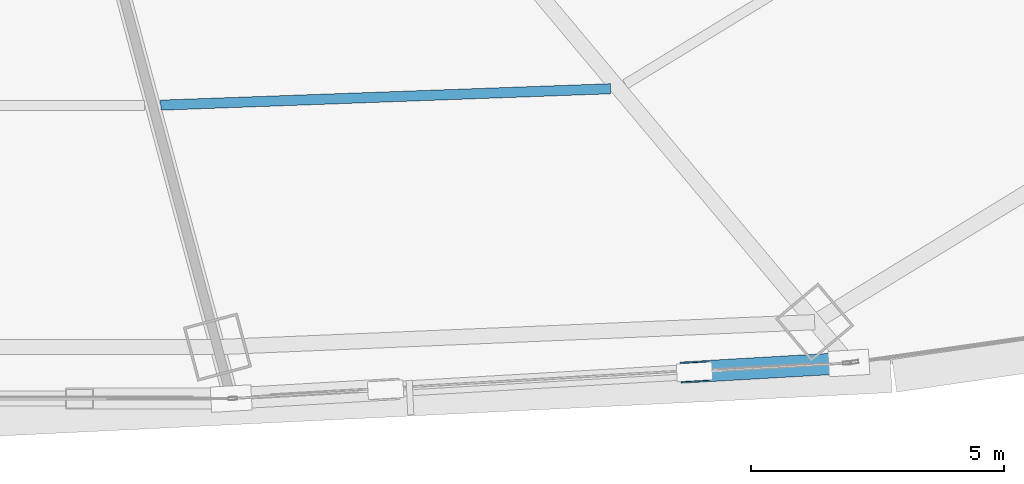
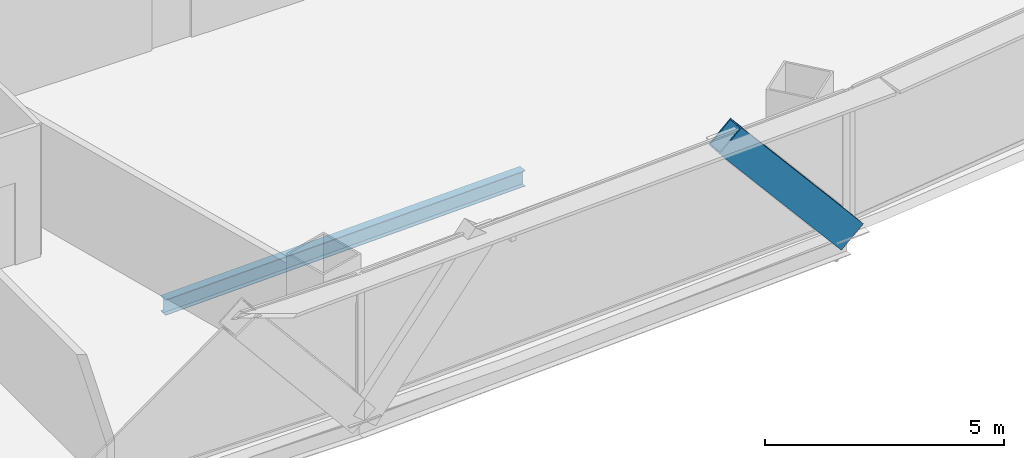
# One storey, part 11 of 41: 1 beam, 1 member.
"""IFC4 building model written with IfcOpenShell, lengths in metres."""

from ifc_helpers import new_model, si_unit, direction, frame, origin, origin_2d, place, context, subcontext, project, spatial, hollow_rectangle, i_section, extrude, source, transform, mapped, material, material_profile, profile_set, type_object, element, save


model = new_model("IFC4")

# Units and contexts
model_context = context("Model", 3, precision=1e-05, world=origin(), true_north=direction((0.0, 1.0)))
body_context = subcontext(model_context, "Body", "Model", "MODEL_VIEW")
ifc_project = project(units=[si_unit("LENGTHUNIT", "METRE"), si_unit("AREAUNIT", "SQUARE_METRE"), si_unit("VOLUMEUNIT", "CUBIC_METRE"), si_unit("PLANEANGLEUNIT", "RADIAN"), si_unit("MASSUNIT", "GRAM", prefix="KILO"), si_unit("THERMODYNAMICTEMPERATUREUNIT", "KELVIN"), si_unit("POWERUNIT", "WATT")], contexts=[model_context])

# Site, building, storey
site_placement = place(None, origin())
site = spatial("IfcSite", under=ifc_project, at=site_placement, CompositionType="ELEMENT")
building_placement = place(site_placement, origin())
building = spatial("IfcBuilding", under=site, at=building_placement, Name="Yunzhuo Pagoda Commons", CompositionType="ELEMENT")
storey_placement = place(building_placement, frame((0.0, 0.0, 63.070068359375)))
storey = spatial("IfcBuildingStorey", under=building, at=storey_placement, Name="L16", CompositionType="ELEMENT", Elevation=63.070068359375)

# Beam
ifc_material_1 = material(Name="Structural steel Q355B", Category="steel")
ifc_material_profile_1 = material_profile(ifc_material_1, i_section(OverallWidth=0.199951171875, OverallDepth=0.39990234375, WebThickness=0.008056640625, FlangeThickness=0.012939453125, at=origin_2d()), Name="Structural steel Q355B")
ifc_profile_set_1 = profile_set([ifc_material_profile_1], Name="Structural steel Q355B")
beam_type = type_object("IfcBeamType", Name="B-JS1 Joist HN 400x200x8x13", PredefinedType="JOIST", material=ifc_profile_set_1)
shared_shape_1 = source(origin(), body_context, "Body", "SweptSolid", [
    extrude(i_section(OverallWidth=0.199951171875, OverallDepth=0.39990234375, WebThickness=0.008056640625, FlangeThickness=0.012939453125, at=origin_2d()), origin(), (0.0, 0.0, 1.0), 8.876953125),
])
beam_placement = place(storey_placement, frame((52.601806640625, 17.125, -0.4599609375), z_axis=(0.999335806416, 0.036440993601, 0.0), x_axis=(-0.036440993601, 0.999335806416, 0.0)))
element("IfcBeam", 1, at=beam_placement, inside=storey, type_object=beam_type, Name="L16 composite ring joist 2.3", PredefinedType="JOIST", context=body_context, shape_type="MappedRepresentation", body=[
    mapped(shared_shape_1, transform((0.0, 0.0, 0.0), scale=1.0)),
])

# Member
ifc_material_2 = material(Name="Structural steel Q420B", Category="steel")
ifc_material_profile_2 = material_profile(ifc_material_2, hollow_rectangle(XDim=0.419921875, YDim=0.719970703125, WallThickness=0.028076171875, at=origin_2d()), Name="Structural steel Q420B")
ifc_profile_set_2 = profile_set([ifc_material_profile_2], Name="Structural steel Q420B")
member_type = type_object("IfcMemberType", Name="M-DL1 Brace BOX 720x420x28", PredefinedType="BRACE", material=ifc_profile_set_2)
shared_shape_2 = source(origin(), body_context, "Body", "SweptSolid", [
    extrude(hollow_rectangle(XDim=0.419921875, YDim=0.719970703125, WallThickness=0.028076171875, at=origin_2d()), origin(), (0.0, 0.0, 1.0), 4.74169921875),
])
member_placement = place(storey_placement, frame((66.1748046875, 12.0400390625, -0.260009765625), z_axis=(-0.642324823911, -0.037020565001, 0.765537914381), x_axis=(0.05753978125, -0.998343214317, 0.0)))
element("IfcMember", 2, at=member_placement, inside=storey, type_object=member_type, Name="L16 facade diamond brace F1.3R", PredefinedType="BRACE", context=body_context, shape_type="MappedRepresentation", body=[
    mapped(shared_shape_2, transform((0.0, 0.0, 0.0), scale=1.0)),
])

save(model, "model.ifc")
